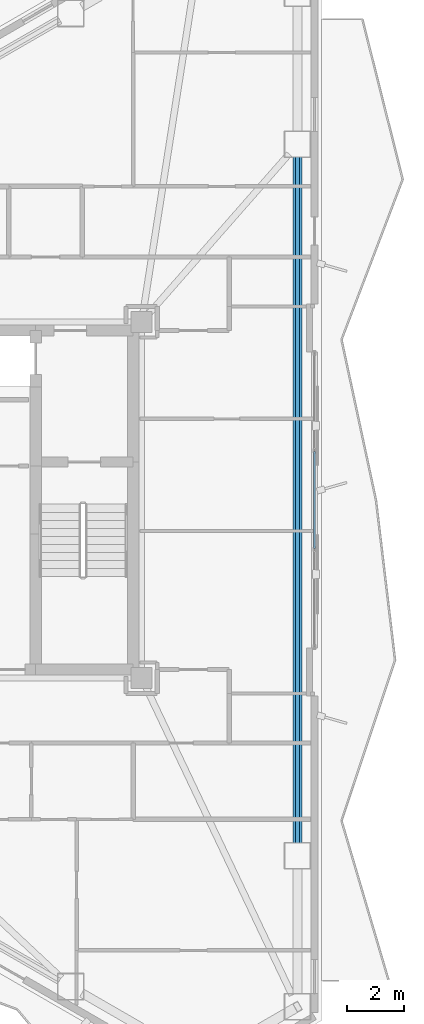
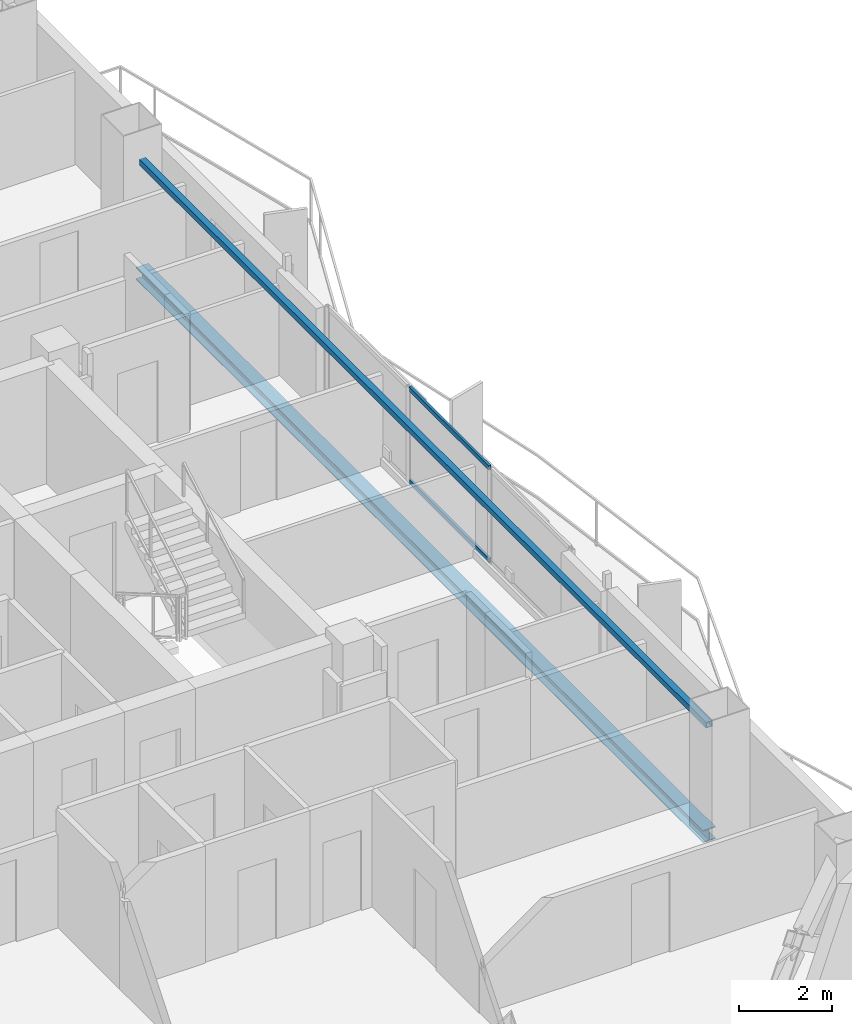
# One storey, part 8 of 18: 2 beams, 2 members, 1 element without a shape of its own.
"""IFC4 building model written with IfcOpenShell, lengths in metres."""

from ifc_helpers import new_model, si_unit, direction, frame, origin, origin_2d, place, context, subcontext, project, spatial, hollow_rectangle, i_section, extrude, material, layer, layer_set, material_profile, profile_set, type_object, element, aggregate, save


model = new_model("IFC4")

# Units and contexts
model_context = context("Model", 3, precision=1e-05, world=origin(), true_north=direction((0.0, 1.0)))
body_context = subcontext(model_context, "Body", "Model", "MODEL_VIEW")
ifc_project = project(units=[si_unit("LENGTHUNIT", "METRE"), si_unit("AREAUNIT", "SQUARE_METRE"), si_unit("VOLUMEUNIT", "CUBIC_METRE"), si_unit("PLANEANGLEUNIT", "RADIAN"), si_unit("MASSUNIT", "GRAM", prefix="KILO")], contexts=[model_context])

# Site, building, storey
site_placement = place(None, origin())
site = spatial("IfcSite", under=ifc_project, at=site_placement, CompositionType="ELEMENT")
building_placement = place(site_placement, origin())
building = spatial("IfcBuilding", under=site, at=building_placement, Name="Mersakhor Tower and Convention Hall", CompositionType="ELEMENT")
storey_placement = place(building_placement, frame((0.0, 0.0, 134.39990234375)))
storey = spatial("IfcBuildingStorey", under=building, at=storey_placement, Name="L37", CompositionType="ELEMENT", Elevation=134.39990234375)

# Beams
ifc_material_1 = material(Name="Steel S355", Category="steel")
ifc_material_profile_1 = material_profile(ifc_material_1, hollow_rectangle(XDim=0.14990234375, YDim=0.14990234375, WallThickness=0.010009765625, at=origin_2d()), Name="SHS 150x150x10")
ifc_profile_set_1 = profile_set([ifc_material_profile_1], Name="Steel S355")
beam_type_1 = type_object("IfcBeamType", Name="BM-GRT-SHS150", PredefinedType="USERDEFINED", material=ifc_profile_set_1)
beam_1_placement = place(storey_placement, frame((41.619140625, 38.8837890625, 2.47998046875), z_axis=(0.0, -1.0, 0.0), x_axis=(1.0, 0.0, 0.0)))
element("IfcBeam", 1, at=beam_1_placement, inside=storey, type_object=beam_type_1, Name="L37 Facade Support Girt GRT-F2", ObjectType="GIRT", PredefinedType="USERDEFINED", context=body_context, shape_type="SweptSolid", body=[
    extrude(hollow_rectangle(XDim=0.14990234375, YDim=0.14990234375, WallThickness=0.010009765625, at=origin_2d()), origin(), (0.0, 0.0, 1.0), 24.267578125),
])
ifc_material_2 = material(Name="Steel S355", Category="steel")
ifc_material_profile_2 = material_profile(ifc_material_2, i_section(OverallWidth=0.30908203125, OverallDepth=0.320556640625, WebThickness=0.013916015625, FlangeThickness=0.021728515625, at=origin_2d()), Name="UC 305x305x137")
ifc_profile_set_2 = profile_set([ifc_material_profile_2], Name="Steel S355")
beam_type_2 = type_object("IfcBeamType", Name="BM-SPD-UC305", PredefinedType="SPANDREL", material=ifc_profile_set_2)
beam_2_placement = place(storey_placement, frame((41.619140625, 38.8837890625, -0.400146484375), z_axis=(0.0, -1.0, 0.0), x_axis=(1.0, 0.0, 0.0)))
element("IfcBeam", 2, at=beam_2_placement, inside=storey, type_object=beam_type_2, Name="L37 Perimeter Spandrel Beam SPB-06", PredefinedType="SPANDREL", context=body_context, shape_type="SweptSolid", body=[
    extrude(i_section(OverallWidth=0.30908203125, OverallDepth=0.320556640625, WebThickness=0.013916015625, FlangeThickness=0.021728515625, at=origin_2d()), origin(), (0.0, 0.0, 1.0), 24.267578125),
])

# Curtain wall, members
ifc_material_3 = material(Name="Dark solar low-E aluminium curtain wall", Category="aluminium")
ifc_layer = layer(ifc_material_3, 0.169921875)
ifc_layer_set = layer_set([ifc_layer], Name="Dark solar low-E aluminium curtain wall")
curtain_wall_type = type_object("IfcCurtainWallType", Name="CW-SYS-02", PredefinedType="USERDEFINED", material=ifc_layer_set)
curtain_wall_placement = place(storey_placement, origin())
curtain_wall = element("IfcCurtainWall", 3, at=curtain_wall_placement, inside=storey, type_object=curtain_wall_type, Name="L37 Dark-Glass Curtain Wall F2-B2", ObjectType="CURTAIN WALL", PredefinedType="USERDEFINED")
ifc_material_4 = material(Name="Anodised aluminium EN AW-6063 T6", Category="aluminium")
ifc_material_profile_3 = material_profile(ifc_material_4, hollow_rectangle(XDim=0.06005859375, YDim=0.1201171875, WallThickness=0.0048828125, at=origin_2d()), Name="RHS 120x60x5")
ifc_profile_set_3 = profile_set([ifc_material_profile_3], Name="Anodised aluminium EN AW-6063 T6")
member_type = type_object("IfcMemberType", Name="CWT-120x60", PredefinedType="USERDEFINED", material=ifc_profile_set_3)
member_1_placement = place(storey_placement, frame((42.21923828125, 28.460205078125, 0.22998046875), z_axis=(0.0, -1.0, 0.0), x_axis=(1.0, 0.0, 0.0)))
member_1 = element("IfcMember", 4, at=member_1_placement, type_object=member_type, Name="CW-02 transom 2.1", ObjectType="TRANSOM", PredefinedType="USERDEFINED", context=body_context, shape_type="SweptSolid", body=[
    extrude(hollow_rectangle(XDim=0.06005859375, YDim=0.1201171875, WallThickness=0.0048828125, at=origin_2d()), origin(), (0.0, 0.0, 1.0), 3.42041015625),
])
member_2_placement = place(storey_placement, frame((42.21923828125, 28.460205078125, 2.650146484375), z_axis=(0.0, -1.0, 0.0), x_axis=(1.0, 0.0, 0.0)))
member_2 = element("IfcMember", 5, at=member_2_placement, type_object=member_type, Name="CW-02 transom 2.2", ObjectType="TRANSOM", PredefinedType="USERDEFINED", context=body_context, shape_type="SweptSolid", body=[
    extrude(hollow_rectangle(XDim=0.06005859375, YDim=0.1201171875, WallThickness=0.0048828125, at=origin_2d()), origin(), (0.0, 0.0, 1.0), 3.42041015625),
])
aggregate(curtain_wall, [member_1, member_2])

save(model, "model.ifc")
